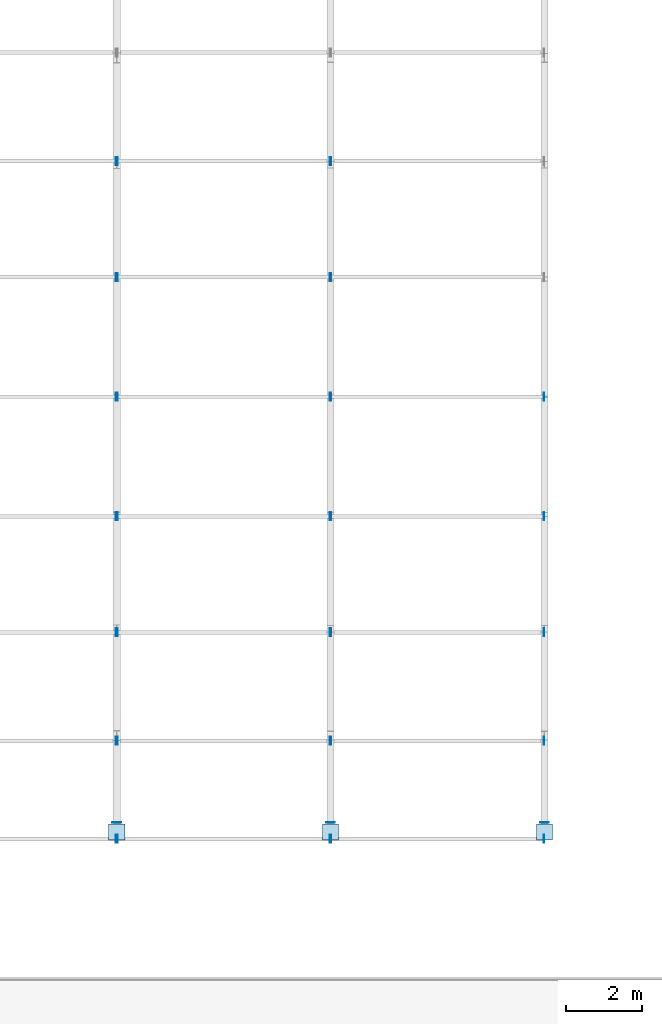
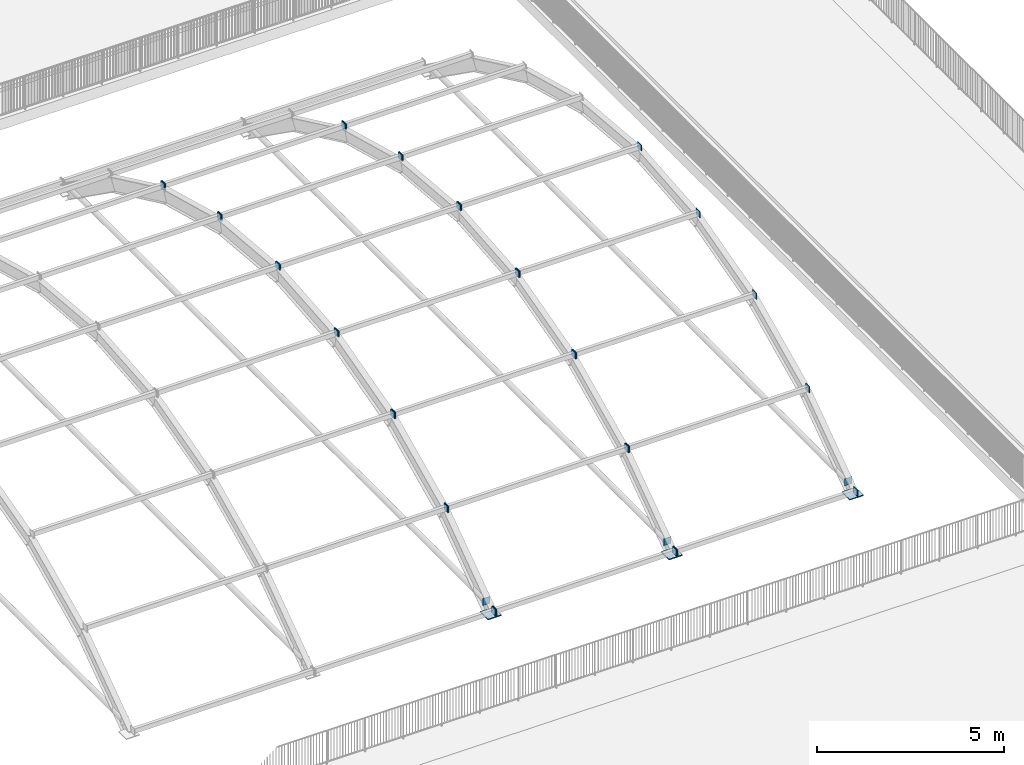
# One storey, part 49 of 79: 39 plates.
"""IFC4 building model written with IfcOpenShell, lengths in metres."""

import ifcopenshell
import ifcopenshell.guid

model = None  # the IFC model being written
_history = None  # IfcOwnerHistory: only IFC2X3 demands one
_inside = {}  # id of a spatial element -> (the spatial element, [elements in it])
_under = {}  # id of a project, library or spatial element -> (it, [spatial elements below it])
_declared = {}  # id of a project -> (the project, [libraries it declares])
_typed = {}  # id of a type object -> (the type object, [elements of that type])
_made_of = {}  # id of a material, layer set ... -> (it, [elements and type objects made of it])


def new_model(schema):
    """Start an empty IFC model of exactly this schema.

    Asked for "IFC4X3", IfcOpenShell would pick the latest addendum, in which some entities
    have other attributes; the version numbers below select the first issue.
    IFC2X3 requires an IfcOwnerHistory on every rooted entity: one is made here for all.
    """
    global model, _history
    if schema == "IFC4X3":
        model = ifcopenshell.file(schema_version=(4, 3, 0, 0))
    else:
        model = ifcopenshell.file(schema=schema)
    _inside.clear()
    _under.clear()
    _declared.clear()
    _typed.clear()
    _made_of.clear()
    _history = None
    if model.schema == "IFC2X3":
        org = make("IfcOrganization", Name="unknown")
        user = make(
            "IfcPersonAndOrganization",
            ThePerson=make("IfcPerson", FamilyName="unknown"),
            TheOrganization=org,
        )
        app = make(
            "IfcApplication",
            ApplicationDeveloper=org,
            Version="unknown",
            ApplicationFullName="unknown",
            ApplicationIdentifier="unknown",
        )
        _history = make(
            "IfcOwnerHistory",
            OwningUser=user,
            OwningApplication=app,
            ChangeAction="ADDED",
            CreationDate=0,
        )
    return model


def make(cls, **values):
    """One entity of the class cls with the attributes given. An attribute that is None is left unset."""
    return model.create_entity(
        cls, **{name: value for name, value in values.items() if value is not None}
    )


def rooted(cls, **values):
    """An entity with a GlobalId (a new one), such as an element, a storey or a relation."""
    return make(cls, GlobalId=ifcopenshell.guid.new(), OwnerHistory=_history, **values)


def si_unit(unit_type, name, prefix=None):
    """IfcSIUnit, for example si_unit("LENGTHUNIT", "METRE", prefix="MILLI")."""
    return make("IfcSIUnit", UnitType=unit_type, Prefix=prefix, Name=name)


def assignment(units):
    """IfcUnitAssignment: the units of a project."""
    return None if units is None else make("IfcUnitAssignment", Units=units)


def point(xyz):
    """IfcCartesianPoint."""
    return None if xyz is None else make("IfcCartesianPoint", Coordinates=xyz)


def direction(xyz):
    """IfcDirection."""
    return None if xyz is None else make("IfcDirection", DirectionRatios=xyz)


def frame(location, z_axis=None, x_axis=None):
    """IfcAxis2Placement3D, a coordinate frame: its origin and axes. An axis left out is left unset."""
    return make(
        "IfcAxis2Placement3D",
        Location=point(location),
        Axis=direction(z_axis),
        RefDirection=direction(x_axis),
    )


def frame_2d(location, x_axis=None):
    """IfcAxis2Placement2D, a coordinate frame in the plane: its origin and x axis."""
    return make(
        "IfcAxis2Placement2D", Location=point(location), RefDirection=direction(x_axis)
    )


def origin():
    """The frame at (0, 0, 0) with its axes left unset."""
    return frame((0.0, 0.0, 0.0))


def origin_2d():
    """The frame at (0, 0) in the plane with its x axis left unset."""
    return frame_2d((0.0, 0.0))


def place(relative_to, where):
    """IfcLocalPlacement: puts the frame where relative to a parent placement (None: the world)."""
    return make(
        "IfcLocalPlacement", PlacementRelTo=relative_to, RelativePlacement=where
    )


def context(
    kind, dimensions, precision=None, world=None, true_north=None, identifier=None
):
    """IfcGeometricRepresentationContext, for example the 3D "Model" context."""
    return make(
        "IfcGeometricRepresentationContext",
        ContextIdentifier=identifier,
        ContextType=kind,
        CoordinateSpaceDimension=dimensions,
        Precision=precision,
        WorldCoordinateSystem=world,
        TrueNorth=true_north,
    )


def subcontext(parent, identifier, kind, view, scale=None):
    """IfcGeometricRepresentationSubContext, for example "Body" below "Model"."""
    return make(
        "IfcGeometricRepresentationSubContext",
        ContextIdentifier=identifier,
        ContextType=kind,
        ParentContext=parent,
        TargetScale=scale,
        TargetView=view,
    )


def project(units=None, contexts=None):
    """IfcProject with its units and contexts."""
    return rooted(
        "IfcProject",
        Name="project",
        RepresentationContexts=contexts,
        UnitsInContext=assignment(units),
    )


def spatial(cls, under=None, at=None, **own):
    """A site, building, storey or space (cls), placed at a placement, below another one or the project."""
    s = rooted(cls, ObjectPlacement=at, **own)
    if under is not None:
        _under.setdefault(under.id(), (under, []))[1].append(s)
    return s


def profile(cls, at=None, kind="AREA", **sizes):
    """A parametric profile (cls). Its sizes go by their IFC names, for example OverallWidth=200.0."""
    return make(cls, ProfileType=kind, Position=at, **sizes)


def rectangle(**sizes):
    """IfcRectangleProfileDef."""
    return profile("IfcRectangleProfileDef", **sizes)


def extrude(swept, where, along, depth):
    """IfcExtrudedAreaSolid: the profile swept, set in the frame where, extruded along a direction by depth."""
    return make(
        "IfcExtrudedAreaSolid",
        SweptArea=swept,
        Position=where,
        ExtrudedDirection=direction(along),
        Depth=depth,
    )


def shape(context_of_items, identifier, shape_type, items):
    """IfcShapeRepresentation: the items that make up one representation, for example the "Body"."""
    return make(
        "IfcShapeRepresentation",
        ContextOfItems=context_of_items,
        RepresentationIdentifier=identifier,
        RepresentationType=shape_type,
        Items=items,
    )


def material(Name=None, Category=None):
    """IfcMaterial."""
    return make("IfcMaterial", Name=Name, Category=Category)


def layer(
    of_material, thickness, ventilated=None, Name=None, Category=None, Priority=None
):
    """IfcMaterialLayer: one layer of a wall or slab, of a material (None: an air gap)."""
    return make(
        "IfcMaterialLayer",
        Material=of_material,
        LayerThickness=thickness,
        IsVentilated=ventilated,
        Name=Name,
        Category=Category,
        Priority=Priority,
    )


def layer_set(layers, Name=None):
    """IfcMaterialLayerSet."""
    return make("IfcMaterialLayerSet", MaterialLayers=layers, LayerSetName=Name)


def made_of(thing, what):
    """Note that an element or type object is made of a material, layer set ...; save() writes the relation."""
    if what is not None:
        _made_of.setdefault(what.id(), (what, []))[1].append(thing)
    return thing


def type_object(cls, material=None, **own):
    """A type object (cls), such as IfcWallType, which elements share."""
    return made_of(rooted(cls, **own), material)


def element(
    cls,
    number,
    at=None,
    inside=None,
    cuts=None,
    type_object=None,
    material=None,
    context=None,
    identifier="Body",
    shape_type=None,
    held_by="IfcProductDefinitionShape",
    body=None,
    shapes=None,
    **own,
):
    """One element of the class cls, such as IfcWall. Its Tag is "e" and its number.

    at: its placement. inside: the storey or other place that contains it. cuts: it is an
    opening in that element (IfcRelVoidsElement). A single representation is given by context,
    identifier, shape_type and body (its items); several are given by shapes. held_by: the class
    of the entity that holds the representations. save() writes the other relations.
    """
    e = rooted(cls, Tag="e%d" % number, ObjectPlacement=at, **own)
    if body is not None:
        shapes = [shape(context, identifier, shape_type, body)]
    if shapes is not None:
        e.Representation = make(held_by, Representations=shapes)
    if inside is not None:
        _inside.setdefault(inside.id(), (inside, []))[1].append(e)
    if cuts is not None:
        rooted(
            "IfcRelVoidsElement", RelatingBuildingElement=cuts, RelatedOpeningElement=e
        )
    if type_object is not None:
        _typed.setdefault(type_object.id(), (type_object, []))[1].append(e)
    return made_of(e, material)


def aggregate(whole, parts):
    """IfcRelAggregates: a whole, such as a stair, and the parts it consists of."""
    return rooted("IfcRelAggregates", RelatingObject=whole, RelatedObjects=parts)


def save(model, path):
    """Write the relations noted so far, then the file.

    IfcRelAggregates (storeys below a building ...), IfcRelContainedInSpatialStructure (elements
    in a storey), IfcRelDefinesByType, IfcRelAssociatesMaterial and IfcRelDeclares: one each for
    every whole, place, type object, material and project.
    """
    for whole, parts in _under.values():
        aggregate(whole, parts)
    for where, things in _inside.values():
        rooted(
            "IfcRelContainedInSpatialStructure",
            RelatedElements=things,
            RelatingStructure=where,
        )
    for kind, things in _typed.values():
        rooted("IfcRelDefinesByType", RelatedObjects=things, RelatingType=kind)
    for what, things in _made_of.values():
        rooted("IfcRelAssociatesMaterial", RelatedObjects=things, RelatingMaterial=what)
    for by, libraries in _declared.values():
        rooted("IfcRelDeclares", RelatingContext=by, RelatedDefinitions=libraries)
    model.write(path)


model = new_model("IFC4")

# Units and contexts
model_context = context("Model", 3, precision=1e-05, world=origin(), true_north=direction((0.0, 1.0)))
body_context = subcontext(model_context, "Body", "Model", "MODEL_VIEW")
ifc_project = project(units=[si_unit("LENGTHUNIT", "METRE"), si_unit("AREAUNIT", "SQUARE_METRE"), si_unit("VOLUMEUNIT", "CUBIC_METRE"), si_unit("PLANEANGLEUNIT", "RADIAN"), si_unit("MASSUNIT", "GRAM", prefix="KILO")], contexts=[model_context])

# Site, building, storey
site_placement = place(None, origin())
site = spatial("IfcSite", under=ifc_project, at=site_placement, CompositionType="ELEMENT")
building_placement = place(site_placement, origin())
building = spatial("IfcBuilding", under=site, at=building_placement, Name="Zantavel Square City Hall", CompositionType="ELEMENT")
storey_placement = place(building_placement, frame((0.0, 0.0, 10.199951171875)))
storey = spatial("IfcBuildingStorey", under=building, at=storey_placement, Name="L03", CompositionType="ELEMENT", Elevation=10.199951171875)

# Plates
ifc_material = material(Name="Steel ASTM A572 Grade 50", Category="steel")
ifc_layer_1 = layer(ifc_material, 0.01611328125, Name="Steel ASTM A572 Grade 50")
ifc_layer_set_1 = layer_set([ifc_layer_1], Name="Steel ASTM A572 Grade 50")
plate_type_1 = type_object("IfcPlateType", Name="CHS 168 End Cap Plate 16mm", PredefinedType="SHEET", material=ifc_layer_set_1)
for number, where, z_axis, x_axis, name in (
    (1, (136.800048828125, 42.0439453125, 0.16748046875), (0.0, 0.0, 1.0), (0.0, 1.0, 0.0), "Skylight Rib 3 Tie End Cap 1"),
    (2, (142.39990234375, 42.0439453125, 0.16748046875), (0.0, 0.0, 1.0), (0.0, 1.0, 0.0), "Skylight Rib 4 Tie End Cap 1"),
    (3, (148.0, 42.0439453125, 0.16748046875), (0.0, 0.0, 1.0), (0.0, 1.0, 0.0), "Skylight Rib 5 Tie End Cap 1"),
):
    element("IfcPlate", number, at=place(storey_placement, frame(where, z_axis=z_axis, x_axis=x_axis)), inside=storey, type_object=plate_type_1, Name=name, PredefinedType="SHEET", context=body_context, shape_type="SweptSolid", body=[
        extrude(rectangle(XDim=0.01611328125, YDim=0.22509765625, at=origin_2d()), origin(), (0.0, 0.0, 1.0), 0.22509765625),
    ])
ifc_layer_2 = layer(ifc_material, 0.01611328125, Name="Steel ASTM A572 Grade 50")
ifc_layer_set_2 = layer_set([ifc_layer_2], Name="Steel ASTM A572 Grade 50")
plate_type_2 = type_object("IfcPlateType", Name="HSS 152x102 End Cap Plate 16mm", PredefinedType="SHEET", material=ifc_layer_set_2)
for number, where, z_axis, x_axis, name in (
    (4, (136.785888671875, 41.620361328125, 0.10595703125), (0.0, 0.0, 1.0), (1.0, 0.0, 0.0), "Skylight Bay 2 Purlin 1 End Cap 2"),
    (5, (136.785888671875, 44.184814453125, 1.927978515625), (0.0, 0.0, 1.0), (1.0, 0.0, 0.0), "Skylight Bay 2 Purlin 2 End Cap 2"),
    (6, (136.785888671875, 47.02978515625, 3.271484375), (0.0, 0.0, 1.0), (1.0, 0.0, 0.0), "Skylight Bay 2 Purlin 3 End Cap 2"),
    (7, (136.785888671875, 50.066162109375, 4.0947265625), (0.0, 0.0, 1.0), (1.0, 0.0, 0.0), "Skylight Bay 2 Purlin 4 End Cap 2"),
    (8, (136.785888671875, 53.199951171875, 4.3720703125), (0.0, 0.0, 1.0), (1.0, 0.0, 0.0), "Skylight Bay 2 Purlin 5 End Cap 2"),
    (9, (136.785888671875, 56.333740234375, 4.0947265625), (0.0, 0.0, 1.0), (1.0, 0.0, 0.0), "Skylight Bay 2 Purlin 6 End Cap 2"),
    (10, (136.785888671875, 59.370361328125, 3.271484375), (0.0, 0.0, 1.0), (1.0, 0.0, 0.0), "Skylight Bay 2 Purlin 7 End Cap 2"),
    (11, (136.81396484375, 41.620361328125, 0.10595703125), (0.0, 0.0, 1.0), (1.0, 0.0, 0.0), "Skylight Bay 3 Purlin 1 End Cap 1"),
    (12, (142.385986328125, 41.620361328125, 0.10595703125), (0.0, 0.0, 1.0), (1.0, 0.0, 0.0), "Skylight Bay 3 Purlin 1 End Cap 2"),
    (13, (136.81396484375, 44.184814453125, 1.927978515625), (0.0, 0.0, 1.0), (1.0, 0.0, 0.0), "Skylight Bay 3 Purlin 2 End Cap 1"),
    (14, (142.385986328125, 44.184814453125, 1.927978515625), (0.0, 0.0, 1.0), (1.0, 0.0, 0.0), "Skylight Bay 3 Purlin 2 End Cap 2"),
    (15, (136.81396484375, 47.02978515625, 3.271484375), (0.0, 0.0, 1.0), (1.0, 0.0, 0.0), "Skylight Bay 3 Purlin 3 End Cap 1"),
    (16, (142.385986328125, 47.02978515625, 3.271484375), (0.0, 0.0, 1.0), (1.0, 0.0, 0.0), "Skylight Bay 3 Purlin 3 End Cap 2"),
    (17, (136.81396484375, 50.066162109375, 4.0947265625), (0.0, 0.0, 1.0), (1.0, 0.0, 0.0), "Skylight Bay 3 Purlin 4 End Cap 1"),
    (18, (142.385986328125, 50.066162109375, 4.0947265625), (0.0, 0.0, 1.0), (1.0, 0.0, 0.0), "Skylight Bay 3 Purlin 4 End Cap 2"),
    (19, (136.81396484375, 53.199951171875, 4.3720703125), (0.0, 0.0, 1.0), (1.0, 0.0, 0.0), "Skylight Bay 3 Purlin 5 End Cap 1"),
    (20, (142.385986328125, 53.199951171875, 4.3720703125), (0.0, 0.0, 1.0), (1.0, 0.0, 0.0), "Skylight Bay 3 Purlin 5 End Cap 2"),
    (21, (136.81396484375, 56.333740234375, 4.0947265625), (0.0, 0.0, 1.0), (1.0, 0.0, 0.0), "Skylight Bay 3 Purlin 6 End Cap 1"),
    (22, (142.385986328125, 56.333740234375, 4.0947265625), (0.0, 0.0, 1.0), (1.0, 0.0, 0.0), "Skylight Bay 3 Purlin 6 End Cap 2"),
    (23, (136.81396484375, 59.370361328125, 3.271484375), (0.0, 0.0, 1.0), (1.0, 0.0, 0.0), "Skylight Bay 3 Purlin 7 End Cap 1"),
    (24, (142.385986328125, 59.370361328125, 3.271484375), (0.0, 0.0, 1.0), (1.0, 0.0, 0.0), "Skylight Bay 3 Purlin 7 End Cap 2"),
    (25, (142.4140625, 41.620361328125, 0.10595703125), (0.0, 0.0, 1.0), (1.0, 0.0, 0.0), "Skylight Bay 4 Purlin 1 End Cap 1"),
    (26, (147.986083984375, 41.620361328125, 0.10595703125), (0.0, 0.0, 1.0), (1.0, 0.0, 0.0), "Skylight Bay 4 Purlin 1 End Cap 2"),
    (27, (142.4140625, 44.184814453125, 1.927978515625), (0.0, 0.0, 1.0), (1.0, 0.0, 0.0), "Skylight Bay 4 Purlin 2 End Cap 1"),
    (28, (147.986083984375, 44.184814453125, 1.927978515625), (0.0, 0.0, 1.0), (1.0, 0.0, 0.0), "Skylight Bay 4 Purlin 2 End Cap 2"),
    (29, (142.4140625, 47.02978515625, 3.271484375), (0.0, 0.0, 1.0), (1.0, 0.0, 0.0), "Skylight Bay 4 Purlin 3 End Cap 1"),
    (30, (147.986083984375, 47.02978515625, 3.271484375), (0.0, 0.0, 1.0), (1.0, 0.0, 0.0), "Skylight Bay 4 Purlin 3 End Cap 2"),
    (31, (142.4140625, 50.066162109375, 4.0947265625), (0.0, 0.0, 1.0), (1.0, 0.0, 0.0), "Skylight Bay 4 Purlin 4 End Cap 1"),
    (32, (147.986083984375, 50.066162109375, 4.0947265625), (0.0, 0.0, 1.0), (1.0, 0.0, 0.0), "Skylight Bay 4 Purlin 4 End Cap 2"),
    (33, (142.4140625, 53.199951171875, 4.3720703125), (0.0, 0.0, 1.0), (1.0, 0.0, 0.0), "Skylight Bay 4 Purlin 5 End Cap 1"),
    (34, (147.986083984375, 53.199951171875, 4.3720703125), (0.0, 0.0, 1.0), (1.0, 0.0, 0.0), "Skylight Bay 4 Purlin 5 End Cap 2"),
    (35, (142.4140625, 56.333740234375, 4.0947265625), (0.0, 0.0, 1.0), (1.0, 0.0, 0.0), "Skylight Bay 4 Purlin 6 End Cap 1"),
    (36, (142.4140625, 59.370361328125, 3.271484375), (0.0, 0.0, 1.0), (1.0, 0.0, 0.0), "Skylight Bay 4 Purlin 7 End Cap 1"),
):
    element("IfcPlate", number, at=place(storey_placement, frame(where, z_axis=z_axis, x_axis=x_axis)), inside=storey, type_object=plate_type_2, Name=name, PredefinedType="SHEET", context=body_context, shape_type="SweptSolid", body=[
        extrude(rectangle(XDim=0.01611328125, YDim=0.2099609375, at=origin_2d()), origin(), (0.0, 0.0, 1.0), 0.2099609375),
    ])
ifc_layer_3 = layer(ifc_material, 0.031982421875, Name="Steel ASTM A572 Grade 50")
ifc_layer_set_3 = layer_set([ifc_layer_3], Name="Steel ASTM A572 Grade 50")
plate_type_3 = type_object("IfcPlateType", Name="Skylight Rib Base Plate 420x420x32", PredefinedType="SHEET", material=ifc_layer_set_3)
for number, where, z_axis, x_axis, name in (
    (37, (136.800048828125, 41.800048828125, 0.0), (0.0, 0.0, 1.0), (1.0, 0.0, 0.0), "Skylight Base Plate 3-S"),
    (38, (142.39990234375, 41.800048828125, 0.0), (0.0, 0.0, 1.0), (1.0, 0.0, 0.0), "Skylight Base Plate 4-S"),
    (39, (148.0, 41.800048828125, 0.0), (0.0, 0.0, 1.0), (1.0, 0.0, 0.0), "Skylight Base Plate 5-S"),
):
    element("IfcPlate", number, at=place(storey_placement, frame(where, z_axis=z_axis, x_axis=x_axis)), inside=storey, type_object=plate_type_3, Name=name, PredefinedType="SHEET", context=body_context, shape_type="SweptSolid", body=[
        extrude(rectangle(XDim=0.419921875, YDim=0.419921875, at=origin_2d()), origin(), (0.0, 0.0, 1.0), 0.031982421875),
    ])

save(model, "model.ifc")
